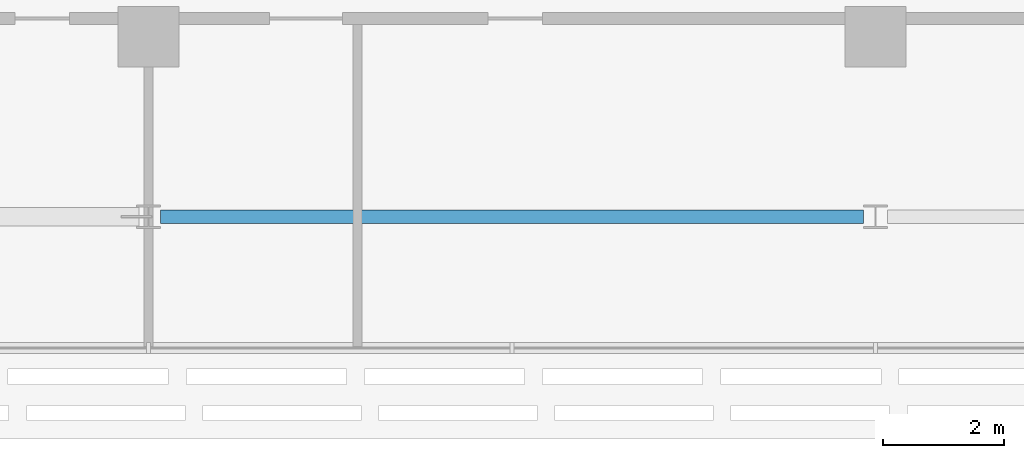
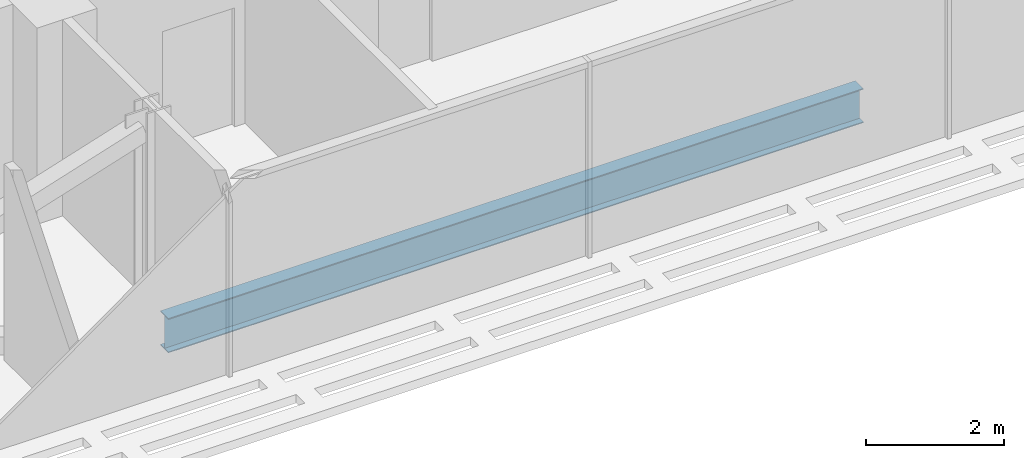
# One storey, part 6 of 32: 1 beam.
"""IFC4 building model written with IfcOpenShell, lengths in metres."""

from ifc_helpers import new_model, si_unit, direction, frame, origin, origin_2d, place, context, subcontext, project, spatial, i_section, extrude, material, material_profile, profile_set, type_object, element, save


model = new_model("IFC4")

# Units and contexts
model_context = context("Model", 3, precision=1e-05, world=origin(), true_north=direction((0.0, 1.0)))
body_context = subcontext(model_context, "Body", "Model", "MODEL_VIEW")
ifc_project = project(units=[si_unit("LENGTHUNIT", "METRE"), si_unit("AREAUNIT", "SQUARE_METRE"), si_unit("VOLUMEUNIT", "CUBIC_METRE"), si_unit("PLANEANGLEUNIT", "RADIAN"), si_unit("MASSUNIT", "GRAM", prefix="KILO")], contexts=[model_context])

# Site, building, storey
site_placement = place(None, origin())
site = spatial("IfcSite", under=ifc_project, at=site_placement, CompositionType="ELEMENT")
building_placement = place(site_placement, origin())
building = spatial("IfcBuilding", under=site, at=building_placement, Name="Mahtab Terrace Research Tower", CompositionType="ELEMENT")
storey_placement = place(building_placement, frame((0.0, 0.0, 232.39990234375)))
storey = spatial("IfcBuildingStorey", under=building, at=storey_placement, Name="L56", CompositionType="ELEMENT", Elevation=232.39990234375)

# Beam
ifc_material = material(Name="Steel ASTM A992 Gr 50", Category="steel")
ifc_material_profile = material_profile(ifc_material, i_section(OverallWidth=0.228271484375, OverallDepth=0.607177734375, WebThickness=0.01123046875, FlangeThickness=0.017333984375, at=origin_2d()), Name="W24X76")
ifc_profile_set = profile_set([ifc_material_profile], Name="Steel ASTM A992 Gr 50")
beam_type = type_object("IfcBeamType", Name="W24x76 beam BS2476", PredefinedType="BEAM", material=ifc_profile_set)
beam_placement = place(storey_placement, frame((-17.800537109375, -14.472900390625, -0.6435546875), z_axis=(1.0, 0.0, 0.0), x_axis=(0.0, 1.0, 0.0)))
element("IfcBeam", 1, at=beam_placement, inside=storey, type_object=beam_type, Name="Spandrel beam L56 14", PredefinedType="BEAM", context=body_context, shape_type="SweptSolid", body=[
    extrude(i_section(OverallWidth=0.228271484375, OverallDepth=0.607177734375, WebThickness=0.01123046875, FlangeThickness=0.017333984375, at=origin_2d()), origin(), (0.0, 0.0, 1.0), 11.60107421875),
])

save(model, "model.ifc")
